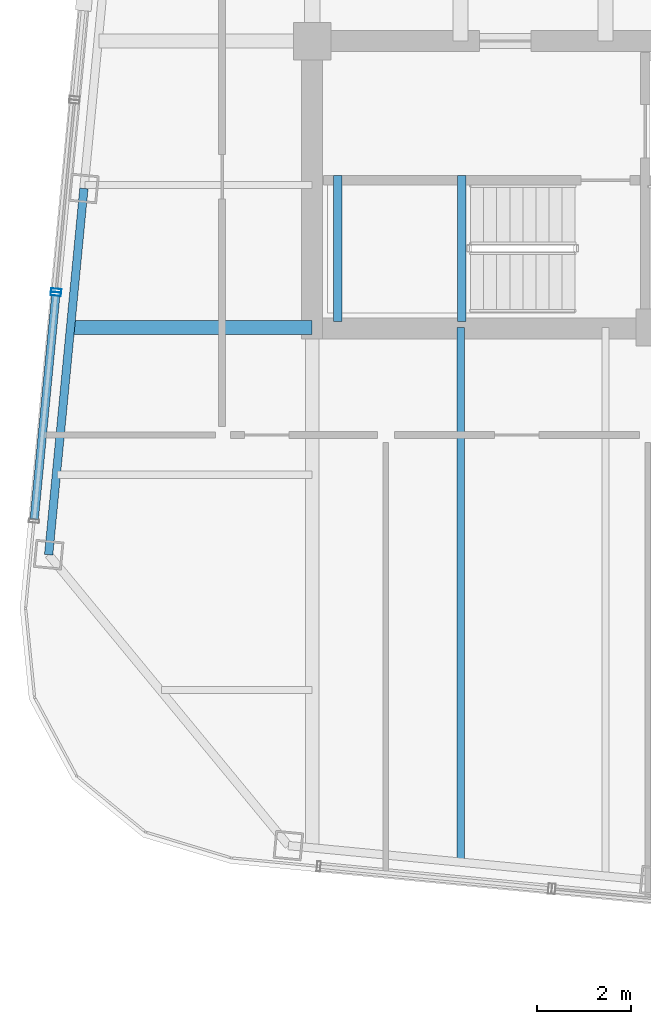
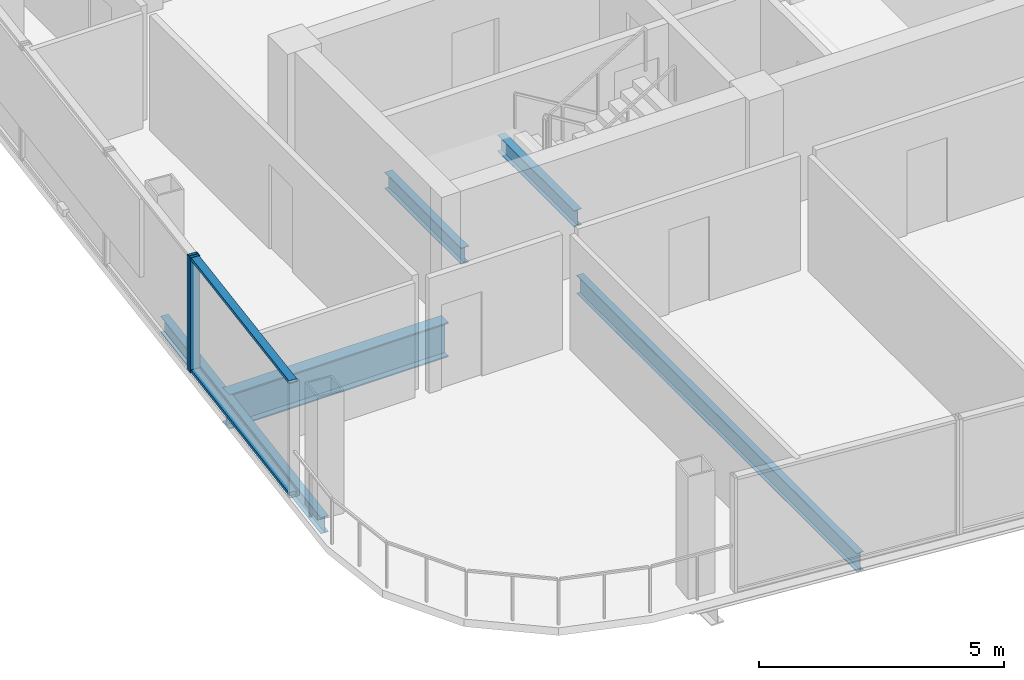
# One storey, part 3 of 22: 5 beams, 4 members, 2 elements without a shape of their own.
"""IFC4 building model written with IfcOpenShell, lengths in metres."""

from ifc_helpers import new_model, si_unit, direction, frame, origin, origin_2d, place, context, subcontext, project, spatial, hollow_rectangle, i_section, extrude, material, layer, layer_set, material_profile, profile_set, type_object, element, aggregate, save


model = new_model("IFC4")

# Units and contexts
model_context = context("Model", 3, precision=1e-05, world=origin(), true_north=direction((0.0, 1.0)))
body_context = subcontext(model_context, "Body", "Model", "MODEL_VIEW")
ifc_project = project(units=[si_unit("LENGTHUNIT", "METRE"), si_unit("AREAUNIT", "SQUARE_METRE"), si_unit("VOLUMEUNIT", "CUBIC_METRE"), si_unit("PLANEANGLEUNIT", "RADIAN"), si_unit("MASSUNIT", "GRAM", prefix="KILO")], contexts=[model_context])

# Site, building, storey
site_placement = place(None, origin())
site = spatial("IfcSite", under=ifc_project, at=site_placement, CompositionType="ELEMENT")
building_placement = place(site_placement, origin())
building = spatial("IfcBuilding", under=site, at=building_placement, Name="Qhalaya Broadcast Tower", CompositionType="ELEMENT")
storey_placement = place(building_placement, frame((0.0, 0.0, 252.0)))
storey = spatial("IfcBuildingStorey", under=building, at=storey_placement, Name="L74", CompositionType="ELEMENT", Elevation=252.0)

# Beam
ifc_material_1 = material(Name="Structural Steel ASTM A992 Grade 50", Category="steel")
ifc_material_profile_1 = material_profile(ifc_material_1, i_section(OverallWidth=0.154052734375, OverallDepth=0.458984375, WebThickness=0.009033203125, FlangeThickness=0.015380859375, at=origin_2d()), Name="W18X46")
ifc_profile_set_1 = profile_set([ifc_material_profile_1], Name="Structural Steel ASTM A992 Grade 50")
beam_type_1 = type_object("IfcBeamType", Name="Composite Floor Joist J04", PredefinedType="JOIST", material=ifc_profile_set_1)
beam_1_placement = place(storey_placement, frame((-6.199951171875, -20.1630859375, -0.41943359375), z_axis=(0.0, 1.0, 0.0), x_axis=(-1.0, 0.0, 0.0)))
element("IfcBeam", 1, at=beam_1_placement, inside=storey, type_object=beam_type_1, Name="L74 J04 L74-JNS1-1", PredefinedType="JOIST", context=body_context, shape_type="SweptSolid", body=[
    extrude(i_section(OverallWidth=0.154052734375, OverallDepth=0.458984375, WebThickness=0.009033203125, FlangeThickness=0.015380859375, at=origin_2d()), origin(), (0.0, 0.0, 1.0), 11.4130859375),
])

# Curtain wall, member
ifc_material_2 = material(Name="Solar-Control Low-E Triple Glazing", Category="glass")
ifc_layer_1 = layer(ifc_material_2, 0.219970703125, Name="Solar-Control Low-E Triple Glazing")
ifc_layer_set_1 = layer_set([ifc_layer_1], Name="Solar-Control Low-E Triple Glazing")
curtain_wall_type_1 = type_object("IfcCurtainWallType", Name="High-Altitude Upper-Shaft Triple Low-E Curtain Wall CW-04", PredefinedType="NOTDEFINED", material=ifc_layer_set_1)
curtain_wall_1_placement = place(storey_placement, origin())
curtain_wall_1 = element("IfcCurtainWall", 2, at=curtain_wall_1_placement, inside=storey, type_object=curtain_wall_type_1, Name="L74 Unitised Curtain Wall L74-CW-W4", PredefinedType="NOTDEFINED")
ifc_material_3 = material(Name="Anodised Aluminium 6063-T6", Category="aluminium")
ifc_material_profile_2 = material_profile(ifc_material_3, hollow_rectangle(XDim=0.074951171875, YDim=0.219970703125, WallThickness=0.00390625, at=origin_2d()), Name="ALU-MUL 75x220x4")
ifc_profile_set_2 = profile_set([ifc_material_profile_2], Name="Anodised Aluminium 6063-T6")
member_type_1 = type_object("IfcMemberType", Name="Unitised Curtain-Wall Mullion M01", PredefinedType="MULLION", material=ifc_profile_set_2)
member_1_placement = place(storey_placement, frame((-14.84814453125, -7.958251953125, 0.0), z_axis=(0.0, 0.0, 1.0), x_axis=(-0.095859120729, -0.995394911064, 0.0)))
member_1 = element("IfcMember", 3, at=member_1_placement, type_object=member_type_1, Name="CW-04 mullion 2", PredefinedType="MULLION", context=body_context, shape_type="SweptSolid", body=[
    extrude(hollow_rectangle(XDim=0.074951171875, YDim=0.219970703125, WallThickness=0.00390625, at=origin_2d()), origin(), (0.0, 0.0, 1.0), 2.860107421875),
])
aggregate(curtain_wall_1, [member_1])

# Curtain wall, members
ifc_material_4 = material(Name="Fired Architectural Terracotta", Category="masonry")
ifc_layer_2 = layer(ifc_material_4, 0.219970703125, Name="Fired Architectural Terracotta")
ifc_layer_set_2 = layer_set([ifc_layer_2], Name="Fired Architectural Terracotta")
curtain_wall_type_2 = type_object("IfcCurtainWallType", Name="Block-Cap Unitised Terracotta Spandrel Wall CW-07", PredefinedType="NOTDEFINED", material=ifc_layer_set_2)
curtain_wall_2_placement = place(storey_placement, origin())
curtain_wall_2 = element("IfcCurtainWall", 4, at=curtain_wall_2_placement, inside=storey, type_object=curtain_wall_type_2, Name="L74 Unitised Curtain Wall L74-CW-W5", PredefinedType="NOTDEFINED")
member_2_placement = place(storey_placement, frame((-14.85546875, -8.032958984375, 0.0), z_axis=(0.0, 0.0, 1.0), x_axis=(-0.095840154905, -0.99539673734, 0.0)))
member_2 = element("IfcMember", 5, at=member_2_placement, type_object=member_type_1, Name="CW-07 mullion 1", PredefinedType="MULLION", context=body_context, shape_type="SweptSolid", body=[
    extrude(hollow_rectangle(XDim=0.074951171875, YDim=0.219970703125, WallThickness=0.00390625, at=origin_2d()), origin(), (0.0, 0.0, 1.0), 2.860107421875),
])
ifc_material_profile_3 = material_profile(ifc_material_3, hollow_rectangle(XDim=0.074951171875, YDim=0.179931640625, WallThickness=0.00390625, at=origin_2d()), Name="ALU-TRN 75x180x4")
ifc_profile_set_3 = profile_set([ifc_material_profile_3], Name="Anodised Aluminium 6063-T6")
member_type_2 = type_object("IfcMemberType", Name="Unitised Curtain-Wall Transom T01", PredefinedType="USERDEFINED", material=ifc_profile_set_3)
member_3_placement = place(storey_placement, frame((-14.85888671875, -8.0703125, 0.03759765625), z_axis=(-0.095833498035, -0.995397378264, 0.0), x_axis=(0.0, 0.0, 1.0)))
member_3 = element("IfcMember", 6, at=member_3_placement, type_object=member_type_2, Name="CW-07 transom 1.1", ObjectType="TRANSOM", PredefinedType="USERDEFINED", context=body_context, shape_type="SweptSolid", body=[
    extrude(hollow_rectangle(XDim=0.074951171875, YDim=0.179931640625, WallThickness=0.00390625, at=origin_2d()), origin(), (0.0, 0.0, 1.0), 4.80224609375),
])
member_4_placement = place(storey_placement, frame((-14.85888671875, -8.0703125, 2.822509765625), z_axis=(-0.095833498035, -0.995397378264, 0.0), x_axis=(0.0, 0.0, 1.0)))
member_4 = element("IfcMember", 7, at=member_4_placement, type_object=member_type_2, Name="CW-07 transom 1.2", ObjectType="TRANSOM", PredefinedType="USERDEFINED", context=body_context, shape_type="SweptSolid", body=[
    extrude(hollow_rectangle(XDim=0.074951171875, YDim=0.179931640625, WallThickness=0.00390625, at=origin_2d()), origin(), (0.0, 0.0, 1.0), 4.80224609375),
])
aggregate(curtain_wall_2, [member_2, member_3, member_4])

# Beams
ifc_material_profile_4 = material_profile(ifc_material_1, i_section(OverallWidth=0.2919921875, OverallDepth=0.85888671875, WebThickness=0.01708984375, FlangeThickness=0.031005859375, at=origin_2d()), Name="W33X169")
ifc_profile_set_4 = profile_set([ifc_material_profile_4], Name="Structural Steel ASTM A992 Grade 50")
beam_type_2 = type_object("IfcBeamType", Name="Upper Block Primary Girder PG4", PredefinedType="USERDEFINED", material=ifc_profile_set_4)
beam_2_placement = place(storey_placement, frame((-14.5224609375, -8.75, -0.619384765625), z_axis=(1.0, 0.0, 0.0), x_axis=(0.0, 1.0, 0.0)))
element("IfcBeam", 8, at=beam_2_placement, inside=storey, type_object=beam_type_2, Name="L74 PG4 L74-PGYW1-1", ObjectType="GIRDER", PredefinedType="USERDEFINED", context=body_context, shape_type="SweptSolid", body=[
    extrude(i_section(OverallWidth=0.2919921875, OverallDepth=0.85888671875, WebThickness=0.01708984375, FlangeThickness=0.031005859375, at=origin_2d()), origin(), (0.0, 0.0, 1.0), 5.1474609375),
])
ifc_material_profile_5 = material_profile(ifc_material_1, i_section(OverallWidth=0.177978515625, OverallDepth=0.406005859375, WebThickness=0.0078125, FlangeThickness=0.0126953125, at=origin_2d()), Name="W16X40")
ifc_profile_set_5 = profile_set([ifc_material_profile_5], Name="Structural Steel ASTM A992 Grade 50")
beam_type_3 = type_object("IfcBeamType", Name="Upper Perimeter Spandrel Beam SP2", PredefinedType="SPANDREL", material=ifc_profile_set_5)
beam_3_placement = place(storey_placement, frame((-14.25634765625, -5.77783203125, -0.39306640625), z_axis=(-0.095864972855, -0.995394347472, 0.0), x_axis=(0.995394347472, -0.095864972855, 0.0)))
element("IfcBeam", 9, at=beam_3_placement, inside=storey, type_object=beam_type_3, Name="L74 SP2 L74-SPR-15", PredefinedType="SPANDREL", context=body_context, shape_type="SweptSolid", body=[
    extrude(i_section(OverallWidth=0.177978515625, OverallDepth=0.406005859375, WebThickness=0.0078125, FlangeThickness=0.0126953125, at=origin_2d()), origin(), (0.0, 0.0, 1.0), 7.86669921875),
])
for number, where, z_axis, x_axis, name in (
    (10, (-8.830078125, -8.6201171875, 1.1220703125), (0.0, 1.0, 0.0), (-1.0, 0.0, 0.0), "L74 ST-2 Half-Landing Bearer Beam 1"),
    (11, (-6.175048828125, -8.6201171875, 1.1220703125), (0.0, 1.0, 0.0), (-1.0, 0.0, 0.0), "L74 ST-2 Half-Landing Bearer Beam 2"),
):
    element("IfcBeam", number, at=place(storey_placement, frame(where, z_axis=z_axis, x_axis=x_axis)), inside=storey, type_object=beam_type_3, Name=name, PredefinedType="SPANDREL", context=body_context, shape_type="SweptSolid", body=[
        extrude(i_section(OverallWidth=0.177978515625, OverallDepth=0.406005859375, WebThickness=0.0078125, FlangeThickness=0.0126953125, at=origin_2d()), origin(), (0.0, 0.0, 1.0), 3.1201171875),
    ])

save(model, "model.ifc")
